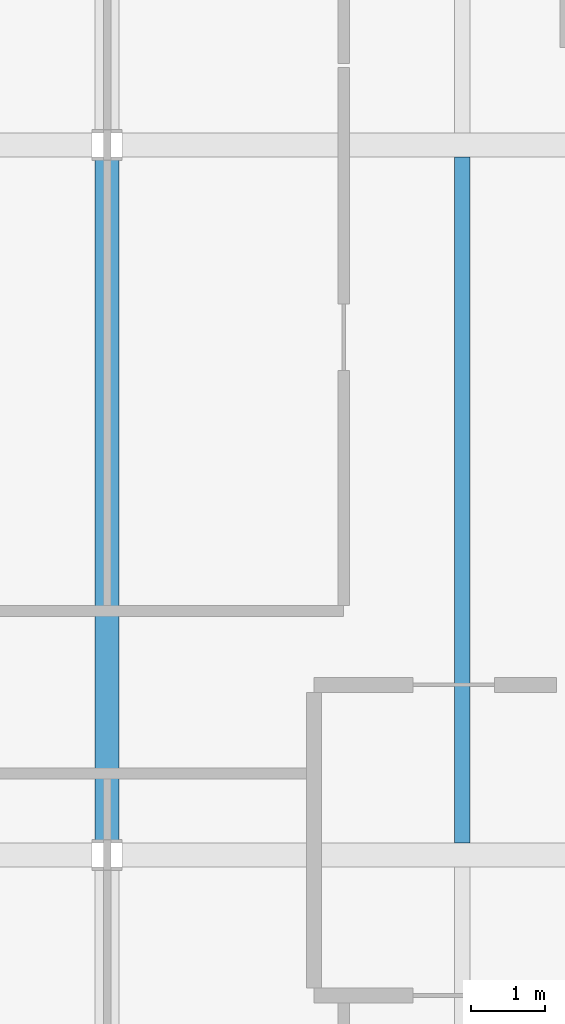
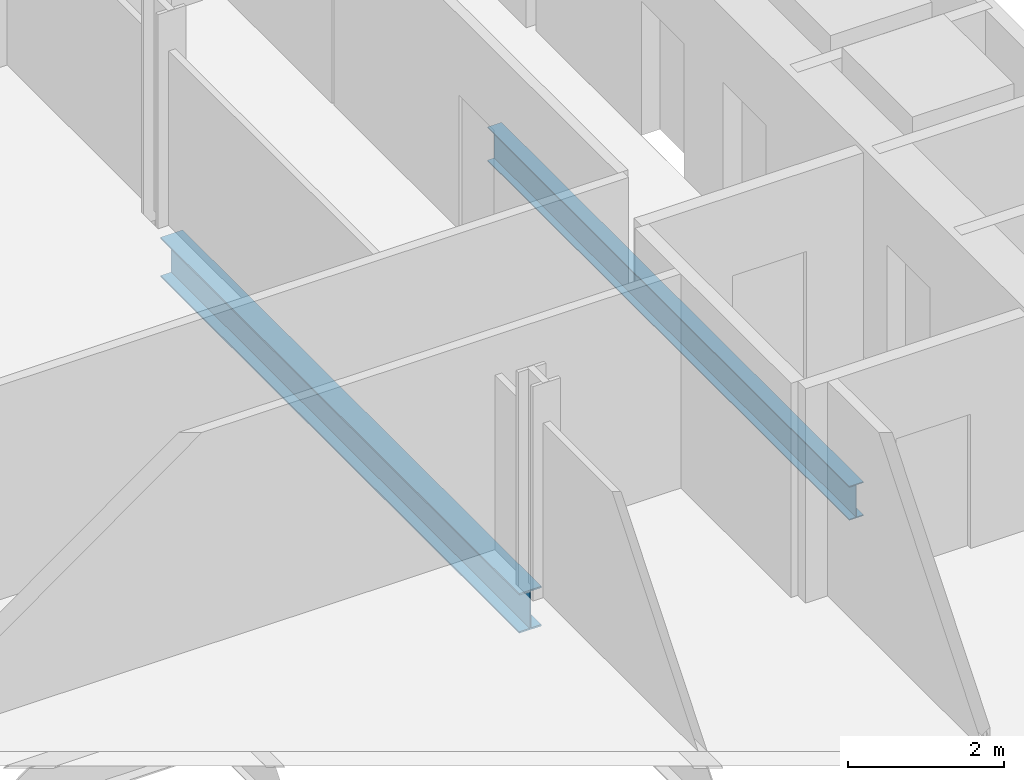
# One storey, part 6 of 21: 2 beams.
"""IFC4 building model written with IfcOpenShell, lengths in metres."""

from ifc_helpers import new_model, si_unit, direction, frame, origin, origin_2d, place, context, subcontext, project, spatial, i_section, extrude, material, material_profile, profile_set, type_object, element, save


model = new_model("IFC4")

# Units and contexts
model_context = context("Model", 3, precision=1e-05, world=origin(), true_north=direction((0.0, 1.0)))
body_context = subcontext(model_context, "Body", "Model", "MODEL_VIEW")
ifc_project = project(units=[si_unit("LENGTHUNIT", "METRE"), si_unit("AREAUNIT", "SQUARE_METRE"), si_unit("VOLUMEUNIT", "CUBIC_METRE"), si_unit("PLANEANGLEUNIT", "RADIAN"), si_unit("MASSUNIT", "GRAM", prefix="KILO")], contexts=[model_context])

# Site, building, storey
site_placement = place(None, origin())
site = spatial("IfcSite", under=ifc_project, at=site_placement, CompositionType="ELEMENT")
building_placement = place(site_placement, origin())
building = spatial("IfcBuilding", under=site, at=building_placement, Name="Cobrizo Arcos Hotel Tower", CompositionType="ELEMENT")
storey_placement = place(building_placement, frame((0.0, 0.0, 42.5)))
storey = spatial("IfcBuildingStorey", under=building, at=storey_placement, Name="L08", CompositionType="ELEMENT", Elevation=42.5)

# Beams
ifc_material = material(Name="Steel ASTM A992 Grade 50", Category="steel")
ifc_material_profile_1 = material_profile(ifc_material, i_section(OverallWidth=0.209228515625, OverallDepth=0.533447265625, WebThickness=0.01025390625, FlangeThickness=0.015625, at=origin_2d()), Name="W21X62")
ifc_profile_set_1 = profile_set([ifc_material_profile_1], Name="Steel ASTM A992 Grade 50")
beam_type_1 = type_object("IfcBeamType", Name="W21X62 joist", PredefinedType="JOIST", material=ifc_profile_set_1)
beam_1_placement = place(storey_placement, frame((14.39990234375, 0.163818359375, -0.416748046875), z_axis=(0.0, 1.0, 0.0), x_axis=(-1.0, 0.0, 0.0)))
element("IfcBeam", 1, at=beam_1_placement, inside=storey, type_object=beam_type_1, Name="Floor joist J1, L08, no. 017", PredefinedType="JOIST", context=body_context, shape_type="SweptSolid", body=[
    extrude(i_section(OverallWidth=0.209228515625, OverallDepth=0.533447265625, WebThickness=0.01025390625, FlangeThickness=0.015625, at=origin_2d()), origin(), (0.0, 0.0, 1.0), 9.272216796875),
])
ifc_material_profile_2 = material_profile(ifc_material, i_section(OverallWidth=0.32763671875, OverallDepth=0.622314453125, WebThickness=0.015380859375, FlangeThickness=0.0244140625, at=origin_2d()), Name="W24X131")
ifc_profile_set_2 = profile_set([ifc_material_profile_2], Name="Steel ASTM A992 Grade 50")
beam_type_2 = type_object("IfcBeamType", Name="W24X131 girder", PredefinedType="BEAM", material=ifc_profile_set_2)
beam_2_placement = place(storey_placement, frame((9.60009765625, 0.204345703125, -0.461181640625), z_axis=(0.0, 1.0, 0.0), x_axis=(-1.0, 0.0, 0.0)))
element("IfcBeam", 2, at=beam_2_placement, inside=storey, type_object=beam_type_2, Name="Floor girder G1, L08, no. 023", PredefinedType="BEAM", context=body_context, shape_type="SweptSolid", body=[
    extrude(i_section(OverallWidth=0.32763671875, OverallDepth=0.622314453125, WebThickness=0.015380859375, FlangeThickness=0.0244140625, at=origin_2d()), origin(), (0.0, 0.0, 1.0), 9.191162109375),
])

save(model, "model.ifc")
